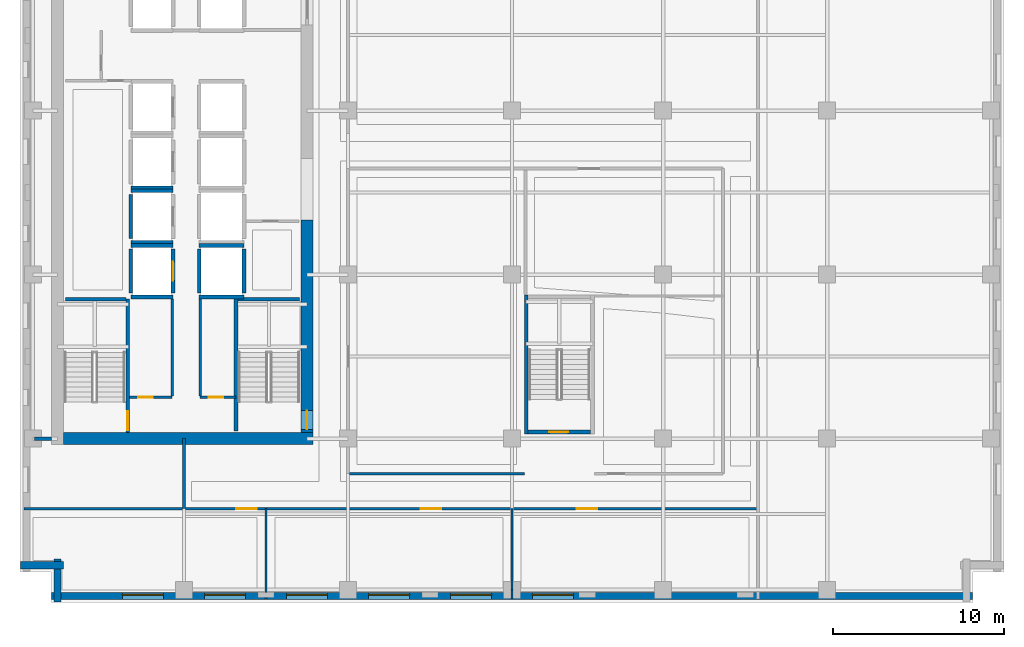
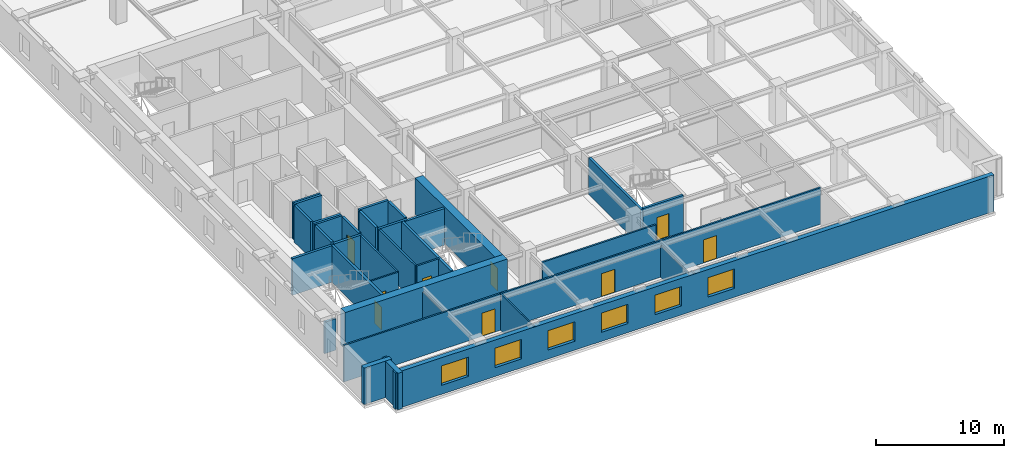
# One storey, part 3 of 12: 34 walls, 9 doors, 6 windows, 15 openings.
"""IFC4 building model written with IfcOpenShell, lengths in metres."""

from ifc_helpers import new_model, si_unit, direction, frame, frame_2d, origin, place, context, subcontext, project, spatial, rectangle, extrude, material, layer, layer_set, type_object, element, fill, save


model = new_model("IFC4")

# Units and contexts
model_context = context("Model", 3, precision=1e-05, world=origin(), true_north=direction((0.0, 1.0)))
body_context = subcontext(model_context, "Body", "Model", "MODEL_VIEW")
ifc_project = project(units=[si_unit("LENGTHUNIT", "METRE"), si_unit("AREAUNIT", "SQUARE_METRE"), si_unit("VOLUMEUNIT", "CUBIC_METRE"), si_unit("PLANEANGLEUNIT", "RADIAN"), si_unit("MASSUNIT", "GRAM", prefix="KILO")], contexts=[model_context])

# Site, building, storey
site_placement = place(None, origin())
site = spatial("IfcSite", under=ifc_project, at=site_placement, CompositionType="ELEMENT")
building_placement = place(site_placement, origin())
building = spatial("IfcBuilding", under=site, at=building_placement, Name="Norrvale University Quadrangle", CompositionType="ELEMENT")
storey_placement = place(building_placement, frame((0.0, 0.0, 147.0)))
storey = spatial("IfcBuildingStorey", under=building, at=storey_placement, Name="L37", CompositionType="ELEMENT", Elevation=147.0)

# Wall, openings, windows
ifc_material_1 = material(Name="Buff Norman Clay Brick Masonry", Category="masonry")
ifc_layer_1 = layer(ifc_material_1, 0.419921875, Name="Buff Norman Clay Brick Masonry")
ifc_layer_set_1 = layer_set([ifc_layer_1], Name="Buff Norman Clay Brick Masonry")
wall_type_1 = type_object("IfcWallType", Name="Wall Buff Brick 420", PredefinedType="SOLIDWALL", material=ifc_layer_set_1)
wall_1_placement = place(storey_placement, frame((1.840087890625, 0.389892578125, 0.0), z_axis=(0.0, 0.0, 1.0), x_axis=(1.0, 0.0, 0.0)))
wall_1 = element("IfcWall", 1, at=wall_1_placement, inside=storey, type_object=wall_type_1, Name="Exterior Brick Facade Wall L37-01.1", PredefinedType="SOLIDWALL", context=body_context, shape_type="SweptSolid", body=[
    extrude(rectangle(XDim=53.919921875, YDim=0.419921875, at=frame_2d((26.9599609375, 0.0))), origin(), (0.0, 0.0, 1.0), 3.47998046875),
])
opening_1_placement = place(wall_1_placement, frame((4.159912109375, 0.0, 0.85009765625)))
opening_1 = element("IfcOpeningElement", 2, at=opening_1_placement, cuts=wall_1, Name="Opening W02", PredefinedType="OPENING", context=body_context, shape_type="SweptSolid", body=[
    extrude(rectangle(XDim=2.39990234375, YDim=1.85009765625, at=frame_2d((1.199951171875, 0.925048828125))), frame((0.0, 0.221923828125, 0.0), z_axis=(0.0, -1.0, 0.0), x_axis=(1.0, 0.0, 0.0)), (0.0, 0.0, 1.0), 0.44384765625),
])
opening_2_placement = place(wall_1_placement, frame((8.9599609375, 0.0, 0.85009765625)))
opening_2 = element("IfcOpeningElement", 3, at=opening_2_placement, cuts=wall_1, Name="Opening W02", PredefinedType="OPENING", context=body_context, shape_type="SweptSolid", body=[
    extrude(rectangle(XDim=2.39990234375, YDim=1.85009765625, at=frame_2d((1.199951171875, 0.925048828125))), frame((0.0, 0.221923828125, 0.0), z_axis=(0.0, -1.0, 0.0), x_axis=(1.0, 0.0, 0.0)), (0.0, 0.0, 1.0), 0.44384765625),
])
opening_3_placement = place(wall_1_placement, frame((13.760009765625, 0.0, 0.85009765625)))
opening_3 = element("IfcOpeningElement", 4, at=opening_3_placement, cuts=wall_1, Name="Opening W02", PredefinedType="OPENING", context=body_context, shape_type="SweptSolid", body=[
    extrude(rectangle(XDim=2.39990234375, YDim=1.85009765625, at=frame_2d((1.199951171875, 0.925048828125))), frame((0.0, 0.221923828125, 0.0), z_axis=(0.0, -1.0, 0.0), x_axis=(1.0, 0.0, 0.0)), (0.0, 0.0, 1.0), 0.44384765625),
])
opening_4_placement = place(wall_1_placement, frame((18.56005859375, 0.0, 0.85009765625)))
opening_4 = element("IfcOpeningElement", 5, at=opening_4_placement, cuts=wall_1, Name="Opening W02", PredefinedType="OPENING", context=body_context, shape_type="SweptSolid", body=[
    extrude(rectangle(XDim=2.39990234375, YDim=1.85009765625, at=frame_2d((1.199951171875, 0.925048828125))), frame((0.0, 0.221923828125, 0.0), z_axis=(0.0, -1.0, 0.0), x_axis=(1.0, 0.0, 0.0)), (0.0, 0.0, 1.0), 0.44384765625),
])
opening_5_placement = place(wall_1_placement, frame((23.360107421875, 0.0, 0.85009765625)))
opening_5 = element("IfcOpeningElement", 6, at=opening_5_placement, cuts=wall_1, Name="Opening W02", PredefinedType="OPENING", context=body_context, shape_type="SweptSolid", body=[
    extrude(rectangle(XDim=2.39990234375, YDim=1.85009765625, at=frame_2d((1.199951171875, 0.925048828125))), frame((0.0, 0.221923828125, 0.0), z_axis=(0.0, -1.0, 0.0), x_axis=(1.0, 0.0, 0.0)), (0.0, 0.0, 1.0), 0.44384765625),
])
opening_6_placement = place(wall_1_placement, frame((28.159912109375, 0.0, 0.85009765625)))
opening_6 = element("IfcOpeningElement", 7, at=opening_6_placement, cuts=wall_1, Name="Opening W02", PredefinedType="OPENING", context=body_context, shape_type="SweptSolid", body=[
    extrude(rectangle(XDim=2.39990234375, YDim=1.85009765625, at=frame_2d((1.199951171875, 0.925048828125))), frame((0.0, 0.221923828125, 0.0), z_axis=(0.0, -1.0, 0.0), x_axis=(1.0, 0.0, 0.0)), (0.0, 0.0, 1.0), 0.44384765625),
])
ifc_material_2 = material(Name="Triple Low-E Argon Glazing", Category="glass")
window_type = type_object("IfcWindowType", Name="Window Academic 2400x2300", PartitioningType="TRIPLE_PANEL_VERTICAL", PredefinedType="WINDOW", material=ifc_material_2)
window_1_placement = place(opening_1_placement, origin())
window_1 = element("IfcWindow", 8, at=window_1_placement, inside=storey, type_object=window_type, Name="Window Academic 2400x2300 WIN-L37-E01-1-01", OverallHeight=1.85009765625, OverallWidth=2.39990234375, PartitioningType="TRIPLE_PANEL_VERTICAL", PredefinedType="WINDOW", context=body_context, shape_type="SweptSolid", body=[
    extrude(rectangle(XDim=2.39990234375, YDim=1.85009765625, at=frame_2d((1.199951171875, 0.925048828125))), frame((0.0, 0.110107421875, 0.0), z_axis=(0.0, -1.0, 0.0), x_axis=(1.0, 0.0, 0.0)), (0.0, 0.0, 1.0), 0.06005859375),
])
fill(opening_1, window_1)
window_2_placement = place(opening_2_placement, origin())
window_2 = element("IfcWindow", 9, at=window_2_placement, inside=storey, type_object=window_type, Name="Window Academic 2400x2300 WIN-L37-E01-1-02", OverallHeight=1.85009765625, OverallWidth=2.39990234375, PartitioningType="TRIPLE_PANEL_VERTICAL", PredefinedType="WINDOW", context=body_context, shape_type="SweptSolid", body=[
    extrude(rectangle(XDim=2.39990234375, YDim=1.85009765625, at=frame_2d((1.199951171875, 0.925048828125))), frame((0.0, 0.110107421875, 0.0), z_axis=(0.0, -1.0, 0.0), x_axis=(1.0, 0.0, 0.0)), (0.0, 0.0, 1.0), 0.06005859375),
])
fill(opening_2, window_2)
window_3_placement = place(opening_3_placement, origin())
window_3 = element("IfcWindow", 10, at=window_3_placement, inside=storey, type_object=window_type, Name="Window Academic 2400x2300 WIN-L37-E01-1-03", OverallHeight=1.85009765625, OverallWidth=2.39990234375, PartitioningType="TRIPLE_PANEL_VERTICAL", PredefinedType="WINDOW", context=body_context, shape_type="SweptSolid", body=[
    extrude(rectangle(XDim=2.39990234375, YDim=1.85009765625, at=frame_2d((1.199951171875, 0.925048828125))), frame((0.0, 0.110107421875, 0.0), z_axis=(0.0, -1.0, 0.0), x_axis=(1.0, 0.0, 0.0)), (0.0, 0.0, 1.0), 0.06005859375),
])
fill(opening_3, window_3)
window_4_placement = place(opening_4_placement, origin())
window_4 = element("IfcWindow", 11, at=window_4_placement, inside=storey, type_object=window_type, Name="Window Academic 2400x2300 WIN-L37-E01-1-04", OverallHeight=1.85009765625, OverallWidth=2.39990234375, PartitioningType="TRIPLE_PANEL_VERTICAL", PredefinedType="WINDOW", context=body_context, shape_type="SweptSolid", body=[
    extrude(rectangle(XDim=2.39990234375, YDim=1.85009765625, at=frame_2d((1.199951171875, 0.925048828125))), frame((0.0, 0.110107421875, 0.0), z_axis=(0.0, -1.0, 0.0), x_axis=(1.0, 0.0, 0.0)), (0.0, 0.0, 1.0), 0.06005859375),
])
fill(opening_4, window_4)
window_5_placement = place(opening_5_placement, origin())
window_5 = element("IfcWindow", 12, at=window_5_placement, inside=storey, type_object=window_type, Name="Window Academic 2400x2300 WIN-L37-E01-1-05", OverallHeight=1.85009765625, OverallWidth=2.39990234375, PartitioningType="TRIPLE_PANEL_VERTICAL", PredefinedType="WINDOW", context=body_context, shape_type="SweptSolid", body=[
    extrude(rectangle(XDim=2.39990234375, YDim=1.85009765625, at=frame_2d((1.199951171875, 0.925048828125))), frame((0.0, 0.110107421875, 0.0), z_axis=(0.0, -1.0, 0.0), x_axis=(1.0, 0.0, 0.0)), (0.0, 0.0, 1.0), 0.06005859375),
])
fill(opening_5, window_5)
window_6_placement = place(opening_6_placement, origin())
window_6 = element("IfcWindow", 13, at=window_6_placement, inside=storey, type_object=window_type, Name="Window Academic 2400x2300 WIN-L37-E01-1-06", OverallHeight=1.85009765625, OverallWidth=2.39990234375, PartitioningType="TRIPLE_PANEL_VERTICAL", PredefinedType="WINDOW", context=body_context, shape_type="SweptSolid", body=[
    extrude(rectangle(XDim=2.39990234375, YDim=1.85009765625, at=frame_2d((1.199951171875, 0.925048828125))), frame((0.0, 0.110107421875, 0.0), z_axis=(0.0, -1.0, 0.0), x_axis=(1.0, 0.0, 0.0)), (0.0, 0.0, 1.0), 0.06005859375),
])
fill(opening_6, window_6)

# Walls
for number, where, z_axis, x_axis, name in (
    (14, (0.0400390625, 2.18994140625, 0.0), (0.0, 0.0, 1.0), (1.0, 0.0, 0.0), "Exterior Brick Facade Wall L37-15.1"),
    (15, (2.18994140625, 2.5400390625, 0.0), (0.0, 0.0, 1.0), (0.0, -1.0, 0.0), "Exterior Brick Facade Wall L37-16.1"),
):
    element("IfcWall", number, at=place(storey_placement, frame(where, z_axis=z_axis, x_axis=x_axis)), inside=storey, type_object=wall_type_1, Name=name, PredefinedType="SOLIDWALL", context=body_context, shape_type="SweptSolid", body=[
        extrude(rectangle(XDim=2.5, YDim=0.419921875, at=frame_2d((1.25, 0.0))), origin(), (0.0, 0.0, 1.0), 3.47998046875),
    ])
ifc_material_3 = material(Name="Concrete C60/75", Category="concrete")
ifc_layer_2 = layer(ifc_material_3, 0.699951171875, Name="Concrete C60/75")
ifc_layer_set_2 = layer_set([ifc_layer_2], Name="Concrete C60/75")
wall_type_2 = type_object("IfcWallType", Name="Wall Core 700", PredefinedType="SHEAR", material=ifc_layer_set_2)
wall_2_placement = place(storey_placement, frame((2.550048828125, 9.60009765625, 0.0), z_axis=(0.0, 0.0, 1.0), x_axis=(1.0, 0.0, 0.0)))
element("IfcWall", 16, at=wall_2_placement, inside=storey, type_object=wall_type_2, Name="Tower Core Shear Wall L37-S", PredefinedType="SHEAR", context=body_context, shape_type="SweptSolid", body=[
    extrude(rectangle(XDim=14.599853515625, YDim=0.699951171875, at=frame_2d((7.2998046875, 0.0))), origin(), (0.0, 0.0, 1.0), 3.47998046875),
])

# Wall, opening, door
wall_3_placement = place(storey_placement, frame((16.800048828125, 9.949951171875, 0.0), z_axis=(0.0, 0.0, 1.0), x_axis=(0.0, 1.0, 0.0)))
wall_3 = element("IfcWall", 17, at=wall_3_placement, inside=storey, type_object=wall_type_2, Name="Tower Core Shear Wall L37-E1", PredefinedType="SHEAR", context=body_context, shape_type="SweptSolid", body=[
    extrude(rectangle(XDim=12.449951171875, YDim=0.699951171875, at=frame_2d((6.22509765625, 0.0))), origin(), (0.0, 0.0, 1.0), 3.47998046875),
])
opening_7_placement = place(wall_3_placement, frame((0.18994140625, 0.0, 0.0)))
opening_7 = element("IfcOpeningElement", 18, at=opening_7_placement, cuts=wall_3, Name="Opening D02", PredefinedType="OPENING", context=body_context, shape_type="SweptSolid", body=[
    extrude(rectangle(XDim=1.10009765625, YDim=2.199951171875, at=frame_2d((0.550048828125, 1.10009765625))), frame((0.0, 0.362060546875, 0.0), z_axis=(0.0, -1.0, 0.0), x_axis=(1.0, 0.0, 0.0)), (0.0, 0.0, 1.0), 0.723876953125),
])
ifc_material_4 = material(Name="Hollow Steel 350W Fire Door", Category="steel")
door_type_1 = type_object("IfcDoorType", Name="Door Stair Exit 1100x2200", OperationType="NOTDEFINED", PredefinedType="DOOR", material=ifc_material_4)
door_1_placement = place(opening_7_placement, origin())
door_1 = element("IfcDoor", 19, at=door_1_placement, inside=storey, type_object=door_type_1, Name="Door Stair Exit 1100x2200 DR-L37-ST03", OperationType="SINGLE_SWING_LEFT", OverallHeight=2.199951171875, OverallWidth=1.10009765625, PredefinedType="DOOR", context=body_context, shape_type="SweptSolid", body=[
    extrude(rectangle(XDim=1.10009765625, YDim=2.199951171875, at=frame_2d((0.550048828125, 1.10009765625))), frame((0.0, 0.02490234375, 0.0), z_axis=(0.0, -1.0, 0.0), x_axis=(1.0, 0.0, 0.0)), (0.0, 0.0, 1.0), 0.050048828125),
])
fill(opening_7, door_1)

# Walls
ifc_material_5 = material(Name="Standard Academic Gypsum Partition")
ifc_layer_3 = layer(ifc_material_5, 0.125, Name="Standard Academic Gypsum Partition")
ifc_layer_set_3 = layer_set([ifc_layer_3], Name="Standard Academic Gypsum Partition")
wall_type_3 = type_object("IfcWallType", Name="Wall Gypsum Academic 125", PredefinedType="PARTITIONING", material=ifc_layer_set_3)
wall_4_placement = place(storey_placement, frame((14.39990234375, 0.219970703125, 0.0), z_axis=(0.0, 0.0, 1.0), x_axis=(0.0, 1.0, 0.0)))
element("IfcWall", 20, at=wall_4_placement, inside=storey, type_object=wall_type_3, Name="Interior Partition WL-L37-SP01", PredefinedType="PARTITIONING", context=body_context, shape_type="SweptSolid", body=[
    extrude(rectangle(XDim=5.280029296875, YDim=0.125, at=frame_2d((2.64013671875, 0.0))), origin(), (0.0, 0.0, 1.0), 3.47998046875),
])
wall_5_placement = place(storey_placement, frame((28.800048828125, 0.219970703125, 0.0), z_axis=(0.0, 0.0, 1.0), x_axis=(0.0, 1.0, 0.0)))
element("IfcWall", 21, at=wall_5_placement, inside=storey, type_object=wall_type_3, Name="Interior Partition WL-L37-SP02", PredefinedType="PARTITIONING", context=body_context, shape_type="SweptSolid", body=[
    extrude(rectangle(XDim=0.530029296875, YDim=0.125, at=frame_2d((0.26513671875, 0.0))), origin(), (0.0, 0.0, 1.0), 3.47998046875),
])
wall_6_placement = place(storey_placement, frame((28.800048828125, 0.75, 0.0), z_axis=(0.0, 0.0, 1.0), x_axis=(0.0, 1.0, 0.0)))
element("IfcWall", 22, at=wall_6_placement, inside=storey, type_object=wall_type_3, Name="Interior Partition WL-L37-SP02-B2", PredefinedType="PARTITIONING", context=body_context, shape_type="SweptSolid", body=[
    extrude(rectangle(XDim=4.75, YDim=0.125, at=frame_2d((2.375, 0.0))), origin(), (0.0, 0.0, 1.0), 3.010986328125),
])

# Wall, opening, door
ifc_material_6 = material(Name="Fire-Rated Gypsum Stud Partition")
ifc_layer_4 = layer(ifc_material_6, 0.14990234375, Name="Fire-Rated Gypsum Stud Partition")
ifc_layer_set_4 = layer_set([ifc_layer_4], Name="Fire-Rated Gypsum Stud Partition")
wall_type_4 = type_object("IfcWallType", Name="Wall Gypsum Corridor 150", PredefinedType="PARTITIONING", material=ifc_layer_set_4)
wall_7_placement = place(storey_placement, frame((6.419921875, 12.02001953125, 0.0), z_axis=(0.0, 0.0, 1.0), x_axis=(1.0, 0.0, 0.0)))
wall_7 = element("IfcWall", 23, at=wall_7_placement, inside=storey, type_object=wall_type_4, Name="Interior Partition WL-L37-SC-NL", PredefinedType="PARTITIONING", context=body_context, shape_type="SweptSolid", body=[
    extrude(rectangle(XDim=2.47998046875, YDim=0.14990234375, at=frame_2d((1.239990234375, 0.0))), origin(), (0.0, 0.0, 1.0), 3.47998046875),
])
opening_8_placement = place(wall_7_placement, frame((0.5, 0.0, 0.0)))
opening_8 = element("IfcOpeningElement", 24, at=opening_8_placement, cuts=wall_7, Name="Opening D10", PredefinedType="OPENING", context=body_context, shape_type="SweptSolid", body=[
    extrude(rectangle(XDim=0.85009765625, YDim=2.10009765625, at=frame_2d((0.425048828125, 1.050048828125))), frame((0.0, 0.0869140625, 0.0), z_axis=(0.0, -1.0, 0.0), x_axis=(1.0, 0.0, 0.0)), (0.0, 0.0, 1.0), 0.173828125),
])
ifc_material_7 = material(Name="Hollow Steel 350W Riser Fire Door", Category="steel")
door_type_2 = type_object("IfcDoorType", Name="Door Riser 850x2100", OperationType="NOTDEFINED", PredefinedType="DOOR", material=ifc_material_7)
door_2_placement = place(opening_8_placement, origin())
door_2 = element("IfcDoor", 25, at=door_2_placement, inside=storey, type_object=door_type_2, Name="Door Riser 850x2100 DR-L37-ELEC", OperationType="SINGLE_SWING_LEFT", OverallHeight=2.10009765625, OverallWidth=0.85009765625, PredefinedType="DOOR", context=body_context, shape_type="SweptSolid", body=[
    extrude(rectangle(XDim=0.85009765625, YDim=2.10009765625, at=frame_2d((0.425048828125, 1.050048828125))), frame((0.0, 0.02490234375, 0.0), z_axis=(0.0, -1.0, 0.0), x_axis=(1.0, 0.0, 0.0)), (0.0, 0.0, 1.0), 0.050048828125),
])
fill(opening_8, door_2)

wall_8_placement = place(storey_placement, frame((10.550048828125, 12.02001953125, 0.0), z_axis=(0.0, 0.0, 1.0), x_axis=(1.0, 0.0, 0.0)))
wall_8 = element("IfcWall", 26, at=wall_8_placement, inside=storey, type_object=wall_type_4, Name="Interior Partition WL-L37-SC-NR", PredefinedType="PARTITIONING", context=body_context, shape_type="SweptSolid", body=[
    extrude(rectangle(XDim=2.079833984375, YDim=0.14990234375, at=frame_2d((1.0400390625, 0.0))), origin(), (0.0, 0.0, 1.0), 3.47998046875),
])
opening_9_placement = place(wall_8_placement, frame((0.5, 0.0, 0.0)))
opening_9 = element("IfcOpeningElement", 27, at=opening_9_placement, cuts=wall_8, Name="Opening D10", PredefinedType="OPENING", context=body_context, shape_type="SweptSolid", body=[
    extrude(rectangle(XDim=0.85009765625, YDim=2.10009765625, at=frame_2d((0.425048828125, 1.050048828125))), frame((0.0, 0.0869140625, 0.0), z_axis=(0.0, -1.0, 0.0), x_axis=(1.0, 0.0, 0.0)), (0.0, 0.0, 1.0), 0.173828125),
])
door_3_placement = place(opening_9_placement, origin())
door_3 = element("IfcDoor", 28, at=door_3_placement, inside=storey, type_object=door_type_2, Name="Door Riser 850x2100 DR-L37-IDF", OperationType="SINGLE_SWING_RIGHT", OverallHeight=2.10009765625, OverallWidth=0.85009765625, PredefinedType="DOOR", context=body_context, shape_type="SweptSolid", body=[
    extrude(rectangle(XDim=0.85009765625, YDim=2.10009765625, at=frame_2d((0.425048828125, 1.050048828125))), frame((0.0, 0.02490234375, 0.0), z_axis=(0.0, -1.0, 0.0), x_axis=(1.0, 0.0, 0.0)), (0.0, 0.0, 1.0), 0.050048828125),
])
fill(opening_9, door_3)

# Walls
for number, where, z_axis, x_axis, name in (
    (29, (8.89990234375, 12.094970703125, 0.0), (0.0, 0.0, 1.0), (0.0, 1.0, 0.0), "Interior Partition WL-L37-SC-WL"),
    (30, (10.550048828125, 12.094970703125, 0.0), (0.0, 0.0, 1.0), (0.0, 1.0, 0.0), "Interior Partition WL-L37-SC-WR"),
):
    element("IfcWall", number, at=place(storey_placement, frame(where, z_axis=z_axis, x_axis=x_axis)), inside=storey, type_object=wall_type_4, Name=name, PredefinedType="PARTITIONING", context=body_context, shape_type="SweptSolid", body=[
        extrude(rectangle(XDim=5.679931640625, YDim=0.14990234375, at=frame_2d((2.83984375, 0.0))), origin(), (0.0, 0.0, 1.0), 3.47998046875),
    ])
wall_9_placement = place(storey_placement, frame((9.60009765625, 5.5, 0.0), z_axis=(0.0, 0.0, 1.0), x_axis=(0.0, 1.0, 0.0)))
element("IfcWall", 31, at=wall_9_placement, inside=storey, type_object=wall_type_4, Name="Interior Partition WL-L37-CSW-END", PredefinedType="PARTITIONING", context=body_context, shape_type="SweptSolid", body=[
    extrude(rectangle(XDim=4.10009765625, YDim=0.14990234375, at=frame_2d((2.050048828125, 0.0))), origin(), (0.0, 0.0, 1.0), 3.010986328125),
])

# Wall, openings, doors
wall_10_placement = place(storey_placement, frame((0.219970703125, 5.5, 0.0), z_axis=(0.0, 0.0, 1.0), x_axis=(1.0, 0.0, 0.0)))
wall_10 = element("IfcWall", 32, at=wall_10_placement, inside=storey, type_object=wall_type_4, Name="Interior Partition WL-L37-SCW", PredefinedType="PARTITIONING", context=body_context, shape_type="SweptSolid", body=[
    extrude(rectangle(XDim=42.97998046875, YDim=0.14990234375, at=frame_2d((21.489990234375, 0.0))), origin(), (0.0, 0.0, 1.0), 3.47998046875),
])
opening_10_placement = place(wall_10_placement, frame((12.429931640625, 0.0, 0.0)))
opening_10 = element("IfcOpeningElement", 33, at=opening_10_placement, cuts=wall_10, Name="Opening D05", PredefinedType="OPENING", context=body_context, shape_type="SweptSolid", body=[
    extrude(rectangle(XDim=1.199951171875, YDim=2.199951171875, at=frame_2d((0.60009765625, 1.10009765625))), frame((0.0, 0.0869140625, 0.0), z_axis=(0.0, -1.0, 0.0), x_axis=(1.0, 0.0, 0.0)), (0.0, 0.0, 1.0), 0.173828125),
])
opening_11_placement = place(wall_10_placement, frame((23.22998046875, 0.0, 0.0)))
opening_11 = element("IfcOpeningElement", 34, at=opening_11_placement, cuts=wall_10, Name="Opening D05", PredefinedType="OPENING", context=body_context, shape_type="SweptSolid", body=[
    extrude(rectangle(XDim=1.199951171875, YDim=2.199951171875, at=frame_2d((0.60009765625, 1.10009765625))), frame((0.0, 0.0869140625, 0.0), z_axis=(0.0, -1.0, 0.0), x_axis=(1.0, 0.0, 0.0)), (0.0, 0.0, 1.0), 0.173828125),
])
opening_12_placement = place(wall_10_placement, frame((32.3798828125, 0.0, 0.0)))
opening_12 = element("IfcOpeningElement", 35, at=opening_12_placement, cuts=wall_10, Name="Opening D05", PredefinedType="OPENING", context=body_context, shape_type="SweptSolid", body=[
    extrude(rectangle(XDim=1.199951171875, YDim=2.199951171875, at=frame_2d((0.60009765625, 1.10009765625))), frame((0.0, 0.0869140625, 0.0), z_axis=(0.0, -1.0, 0.0), x_axis=(1.0, 0.0, 0.0)), (0.0, 0.0, 1.0), 0.173828125),
])
ifc_material_8 = material(Name="Acoustic Oak Classroom Door", Category="wood")
door_type_3 = type_object("IfcDoorType", Name="Door Classroom 1200x2200", OperationType="NOTDEFINED", PredefinedType="DOOR", material=ifc_material_8)
door_4_placement = place(opening_10_placement, origin())
door_4 = element("IfcDoor", 36, at=door_4_placement, inside=storey, type_object=door_type_3, Name="Door Classroom 1200x2200 DR-L37-S01", OperationType="SINGLE_SWING_LEFT", OverallHeight=2.199951171875, OverallWidth=1.199951171875, PredefinedType="DOOR", context=body_context, shape_type="SweptSolid", body=[
    extrude(rectangle(XDim=1.199951171875, YDim=2.199951171875, at=frame_2d((0.60009765625, 1.10009765625))), frame((0.0, 0.02490234375, 0.0), z_axis=(0.0, -1.0, 0.0), x_axis=(1.0, 0.0, 0.0)), (0.0, 0.0, 1.0), 0.050048828125),
])
fill(opening_10, door_4)
door_5_placement = place(opening_11_placement, origin())
door_5 = element("IfcDoor", 37, at=door_5_placement, inside=storey, type_object=door_type_3, Name="Door Classroom 1200x2200 DR-L37-S02", OperationType="SINGLE_SWING_RIGHT", OverallHeight=2.199951171875, OverallWidth=1.199951171875, PredefinedType="DOOR", context=body_context, shape_type="SweptSolid", body=[
    extrude(rectangle(XDim=1.199951171875, YDim=2.199951171875, at=frame_2d((0.60009765625, 1.10009765625))), frame((0.0, 0.02490234375, 0.0), z_axis=(0.0, -1.0, 0.0), x_axis=(1.0, 0.0, 0.0)), (0.0, 0.0, 1.0), 0.050048828125),
])
fill(opening_11, door_5)
door_6_placement = place(opening_12_placement, origin())
door_6 = element("IfcDoor", 38, at=door_6_placement, inside=storey, type_object=door_type_3, Name="Door Classroom 1200x2200 DR-L37-S03", OperationType="SINGLE_SWING_LEFT", OverallHeight=2.199951171875, OverallWidth=1.199951171875, PredefinedType="DOOR", context=body_context, shape_type="SweptSolid", body=[
    extrude(rectangle(XDim=1.199951171875, YDim=2.199951171875, at=frame_2d((0.60009765625, 1.10009765625))), frame((0.0, 0.02490234375, 0.0), z_axis=(0.0, -1.0, 0.0), x_axis=(1.0, 0.0, 0.0)), (0.0, 0.0, 1.0), 0.050048828125),
])
fill(opening_12, door_6)

# Walls
wall_11_placement = place(storey_placement, frame((19.280029296875, 7.550048828125, 0.0), z_axis=(0.0, 0.0, 1.0), x_axis=(1.0, 0.0, 0.0)))
element("IfcWall", 39, at=wall_11_placement, inside=storey, type_object=wall_type_4, Name="Interior Partition WL-L37-ISLS1", PredefinedType="PARTITIONING", context=body_context, shape_type="SweptSolid", body=[
    extrude(rectangle(XDim=10.244873046875, YDim=0.14990234375, at=frame_2d((5.12255859375, 0.0))), origin(), (0.0, 0.0, 1.0), 3.47998046875),
])
ifc_material_9 = material(Name="Concrete Blockwork 20 MPa Rated Wall", Category="masonry")
ifc_layer_5 = layer(ifc_material_9, 0.199951171875, Name="Concrete Blockwork 20 MPa Rated Wall")
ifc_layer_set_5 = layer_set([ifc_layer_5], Name="Concrete Blockwork 20 MPa Rated Wall")
wall_type_5 = type_object("IfcWallType", Name="Wall Lobby 200", PredefinedType="SOLIDWALL", material=ifc_layer_set_5)
wall_12_placement = place(storey_placement, frame((0.85009765625, 9.60009765625, 0.0), z_axis=(0.0, 0.0, 1.0), x_axis=(1.0, 0.0, 0.0)))
element("IfcWall", 40, at=wall_12_placement, inside=storey, type_object=wall_type_5, Name="Interior Partition WL-L37-CWRET-S", PredefinedType="SOLIDWALL", context=body_context, shape_type="SweptSolid", body=[
    extrude(rectangle(XDim=0.994873046875, YDim=0.199951171875, at=frame_2d((0.49755859375, 0.0))), origin(), (0.0, 0.0, 1.0), 3.010986328125),
])

# Wall, opening, door
ifc_material_10 = material(Name="Concrete Blockwork 20 MPa Fire Shaft", Category="masonry")
ifc_layer_6 = layer(ifc_material_10, 0.219970703125, Name="Concrete Blockwork 20 MPa Fire Shaft")
ifc_layer_set_6 = layer_set([ifc_layer_6], Name="Concrete Blockwork 20 MPa Fire Shaft")
wall_type_6 = type_object("IfcWallType", Name="Wall Shaft 220", PredefinedType="SOLIDWALL", material=ifc_layer_set_6)
wall_13_placement = place(storey_placement, frame((6.31005859375, 9.949951171875, 0.0), z_axis=(0.0, 0.0, 1.0), x_axis=(0.0, 1.0, 0.0)))
wall_13 = element("IfcWall", 41, at=wall_13_placement, inside=storey, type_object=wall_type_6, Name="Stair ST-01 East Shaft Wall L37", PredefinedType="SOLIDWALL", context=body_context, shape_type="SweptSolid", body=[
    extrude(rectangle(XDim=7.81005859375, YDim=0.219970703125, at=frame_2d((3.905029296875, 0.0))), origin(), (0.0, 0.0, 1.0), 3.47998046875),
])
opening_13_placement = place(wall_13_placement, frame((0.139892578125, 0.0, 0.0)))
opening_13 = element("IfcOpeningElement", 42, at=opening_13_placement, cuts=wall_13, Name="Opening D02", PredefinedType="OPENING", context=body_context, shape_type="SweptSolid", body=[
    extrude(rectangle(XDim=1.10009765625, YDim=2.199951171875, at=frame_2d((0.550048828125, 1.10009765625))), frame((0.0, 0.1220703125, 0.0), z_axis=(0.0, -1.0, 0.0), x_axis=(1.0, 0.0, 0.0)), (0.0, 0.0, 1.0), 0.243896484375),
])
door_7_placement = place(opening_13_placement, origin())
door_7 = element("IfcDoor", 43, at=door_7_placement, inside=storey, type_object=door_type_1, Name="Door Stair Exit 1100x2200 DR-L37-ST01", OperationType="SINGLE_SWING_LEFT", OverallHeight=2.199951171875, OverallWidth=1.10009765625, PredefinedType="DOOR", context=body_context, shape_type="SweptSolid", body=[
    extrude(rectangle(XDim=1.10009765625, YDim=2.199951171875, at=frame_2d((0.550048828125, 1.10009765625))), frame((0.0, 0.02490234375, 0.0), z_axis=(0.0, -1.0, 0.0), x_axis=(1.0, 0.0, 0.0)), (0.0, 0.0, 1.0), 0.050048828125),
])
fill(opening_13, door_7)

# Walls
wall_14_placement = place(storey_placement, frame((2.64990234375, 17.760009765625, 0.0), z_axis=(0.0, 0.0, 1.0), x_axis=(1.0, 0.0, 0.0)))
element("IfcWall", 44, at=wall_14_placement, inside=storey, type_object=wall_type_6, Name="Stair ST-01 North Shaft Wall L37", PredefinedType="SOLIDWALL", context=body_context, shape_type="SweptSolid", body=[
    extrude(rectangle(XDim=3.550048828125, YDim=0.219970703125, at=frame_2d((1.77490234375, 0.0))), origin(), (0.0, 0.0, 1.0), 3.47998046875),
])
wall_15_placement = place(storey_placement, frame((12.639892578125, 10.050048828125, 0.0), z_axis=(0.0, 0.0, 1.0), x_axis=(0.0, 1.0, 0.0)))
element("IfcWall", 45, at=wall_15_placement, inside=storey, type_object=wall_type_6, Name="Stair ST-03 West Shaft Wall L37", PredefinedType="SOLIDWALL", context=body_context, shape_type="SweptSolid", body=[
    extrude(rectangle(XDim=7.7099609375, YDim=0.219970703125, at=frame_2d((3.85498046875, 0.0))), origin(), (0.0, 0.0, 1.0), 3.47998046875),
])
wall_16_placement = place(storey_placement, frame((12.75, 17.760009765625, 0.0), z_axis=(0.0, 0.0, 1.0), x_axis=(1.0, 0.0, 0.0)))
element("IfcWall", 46, at=wall_16_placement, inside=storey, type_object=wall_type_6, Name="Stair ST-03 North Shaft Wall L37", PredefinedType="SOLIDWALL", context=body_context, shape_type="SweptSolid", body=[
    extrude(rectangle(XDim=3.60009765625, YDim=0.219970703125, at=frame_2d((1.800048828125, 0.0))), origin(), (0.0, 0.0, 1.0), 3.47998046875),
])

# Wall, opening, door
wall_17_placement = place(storey_placement, frame((29.75, 9.989990234375, 0.0), z_axis=(0.0, 0.0, 1.0), x_axis=(1.0, 0.0, 0.0)))
wall_17 = element("IfcWall", 47, at=wall_17_placement, inside=storey, type_object=wall_type_6, Name="Stair ST-04 South Shaft Wall L37", PredefinedType="SOLIDWALL", context=body_context, shape_type="SweptSolid", body=[
    extrude(rectangle(XDim=3.64990234375, YDim=0.219970703125, at=frame_2d((1.824951171875, 0.0))), origin(), (0.0, 0.0, 1.0), 3.47998046875),
])
opening_14_placement = place(wall_17_placement, frame((1.239990234375, 0.0, 0.0)))
opening_14 = element("IfcOpeningElement", 48, at=opening_14_placement, cuts=wall_17, Name="Opening D02", PredefinedType="OPENING", context=body_context, shape_type="SweptSolid", body=[
    extrude(rectangle(XDim=1.10009765625, YDim=2.199951171875, at=frame_2d((0.550048828125, 1.10009765625))), frame((0.0, 0.1220703125, 0.0), z_axis=(0.0, -1.0, 0.0), x_axis=(1.0, 0.0, 0.0)), (0.0, 0.0, 1.0), 0.243896484375),
])
door_8_placement = place(opening_14_placement, origin())
door_8 = element("IfcDoor", 49, at=door_8_placement, inside=storey, type_object=door_type_1, Name="Door Stair Exit 1100x2200 DR-L37-ST04", OperationType="SINGLE_SWING_LEFT", OverallHeight=2.199951171875, OverallWidth=1.10009765625, PredefinedType="DOOR", context=body_context, shape_type="SweptSolid", body=[
    extrude(rectangle(XDim=1.10009765625, YDim=2.199951171875, at=frame_2d((0.550048828125, 1.10009765625))), frame((0.0, 0.02490234375, 0.0), z_axis=(0.0, -1.0, 0.0), x_axis=(1.0, 0.0, 0.0)), (0.0, 0.0, 1.0), 0.050048828125),
])
fill(opening_14, door_8)

# Walls
wall_18_placement = place(storey_placement, frame((29.639892578125, 9.8798828125, 0.0), z_axis=(0.0, 0.0, 1.0), x_axis=(0.0, 1.0, 0.0)))
element("IfcWall", 50, at=wall_18_placement, inside=storey, type_object=wall_type_6, Name="Stair ST-04 West Shaft Wall L37", PredefinedType="SOLIDWALL", context=body_context, shape_type="SweptSolid", body=[
    extrude(rectangle(XDim=8.14013671875, YDim=0.219970703125, at=frame_2d((4.070068359375, 0.0))), origin(), (0.0, 0.0, 1.0), 3.47998046875),
])
wall_19_placement = place(storey_placement, frame((6.489990234375, 18.110107421875, 0.0), z_axis=(0.0, 0.0, 1.0), x_axis=(0.0, 1.0, 0.0)))
element("IfcWall", 51, at=wall_19_placement, inside=storey, type_object=wall_type_6, Name="Hoistway PL-01 West Wall L37", PredefinedType="SOLIDWALL", context=body_context, shape_type="SweptSolid", body=[
    extrude(rectangle(XDim=2.579833984375, YDim=0.219970703125, at=frame_2d((1.2900390625, 0.0))), origin(), (0.0, 0.0, 1.0), 3.47998046875),
])

# Wall, opening, door
wall_20_placement = place(storey_placement, frame((8.9599609375, 18.110107421875, 0.0), z_axis=(0.0, 0.0, 1.0), x_axis=(0.0, 1.0, 0.0)))
wall_20 = element("IfcWall", 52, at=wall_20_placement, inside=storey, type_object=wall_type_6, Name="Hoistway PL-01 East Wall L37", PredefinedType="SOLIDWALL", context=body_context, shape_type="SweptSolid", body=[
    extrude(rectangle(XDim=2.579833984375, YDim=0.219970703125, at=frame_2d((1.2900390625, 0.0))), origin(), (0.0, 0.0, 1.0), 3.47998046875),
])
opening_15_placement = place(wall_20_placement, frame((0.739990234375, 0.0, 0.0)))
opening_15 = element("IfcOpeningElement", 53, at=opening_15_placement, cuts=wall_20, Name="Opening LD1", PredefinedType="OPENING", context=body_context, shape_type="SweptSolid", body=[
    extrude(rectangle(XDim=1.10009765625, YDim=2.199951171875, at=frame_2d((0.550048828125, 1.10009765625))), frame((0.0, 0.1220703125, 0.0), z_axis=(0.0, -1.0, 0.0), x_axis=(1.0, 0.0, 0.0)), (0.0, 0.0, 1.0), 0.243896484375),
])
ifc_material_11 = material(Name="Stainless Steel 316L Lift Landing Door", Category="steel")
door_type_4 = type_object("IfcDoorType", Name="Door Lift Landing 1100x2200", OperationType="DOUBLE_DOOR_SLIDING", PredefinedType="DOOR", material=ifc_material_11)
door_9_placement = place(opening_15_placement, origin())
door_9 = element("IfcDoor", 54, at=door_9_placement, inside=storey, type_object=door_type_4, Name="Elevator Landing Door DR-L37-PL-01", OperationType="DOUBLE_DOOR_SLIDING", OverallHeight=2.199951171875, OverallWidth=1.10009765625, PredefinedType="DOOR", context=body_context, shape_type="SweptSolid", body=[
    extrude(rectangle(XDim=1.10009765625, YDim=2.199951171875, at=frame_2d((0.550048828125, 1.10009765625))), frame((0.0, 0.02490234375, 0.0), z_axis=(0.0, -1.0, 0.0), x_axis=(1.0, 0.0, 0.0)), (0.0, 0.0, 1.0), 0.050048828125),
])
fill(opening_15, door_9)

# Walls
for number, where, z_axis, x_axis, name in (
    (55, (6.489990234375, 17.889892578125, 0.0), (0.0, 0.0, 1.0), (1.0, 0.0, 0.0), "Hoistway PL-01 South Wall L37"),
    (56, (6.489990234375, 20.909912109375, 0.0), (0.0, 0.0, 1.0), (1.0, 0.0, 0.0), "Hoistway PL-01 North Wall L37"),
):
    element("IfcWall", number, at=place(storey_placement, frame(where, z_axis=z_axis, x_axis=x_axis)), inside=storey, type_object=wall_type_6, Name=name, PredefinedType="SOLIDWALL", context=body_context, shape_type="SweptSolid", body=[
        extrude(rectangle(XDim=2.469970703125, YDim=0.219970703125, at=frame_2d((1.23486328125, 0.0))), origin(), (0.0, 0.0, 1.0), 3.47998046875),
    ])
wall_21_placement = place(storey_placement, frame((6.489990234375, 21.31005859375, 0.0), z_axis=(0.0, 0.0, 1.0), x_axis=(0.0, 1.0, 0.0)))
element("IfcWall", 57, at=wall_21_placement, inside=storey, type_object=wall_type_6, Name="Hoistway PL-02 West Wall L37", PredefinedType="SOLIDWALL", context=body_context, shape_type="SweptSolid", body=[
    extrude(rectangle(XDim=2.579833984375, YDim=0.219970703125, at=frame_2d((1.2900390625, 0.0))), origin(), (0.0, 0.0, 1.0), 3.47998046875),
])
for number, where, z_axis, x_axis, name in (
    (58, (6.489990234375, 21.090087890625, 0.0), (0.0, 0.0, 1.0), (1.0, 0.0, 0.0), "Hoistway PL-02 South Wall L37"),
    (59, (6.489990234375, 24.110107421875, 0.0), (0.0, 0.0, 1.0), (1.0, 0.0, 0.0), "Hoistway PL-02 North Wall L37"),
    (60, (6.489990234375, 24.2900390625, 0.0), (0.0, 0.0, 1.0), (1.0, 0.0, 0.0), "Hoistway PL-03 South Wall L37"),
):
    element("IfcWall", number, at=place(storey_placement, frame(where, z_axis=z_axis, x_axis=x_axis)), inside=storey, type_object=wall_type_6, Name=name, PredefinedType="SOLIDWALL", context=body_context, shape_type="SweptSolid", body=[
        extrude(rectangle(XDim=2.469970703125, YDim=0.219970703125, at=frame_2d((1.23486328125, 0.0))), origin(), (0.0, 0.0, 1.0), 3.47998046875),
    ])
for number, where, z_axis, x_axis, name in (
    (61, (10.489990234375, 18.110107421875, 0.0), (0.0, 0.0, 1.0), (0.0, 1.0, 0.0), "Hoistway PL-05 West Wall L37"),
    (62, (13.110107421875, 18.110107421875, 0.0), (0.0, 0.0, 1.0), (0.0, 1.0, 0.0), "Hoistway PL-05 East Wall L37"),
):
    element("IfcWall", number, at=place(storey_placement, frame(where, z_axis=z_axis, x_axis=x_axis)), inside=storey, type_object=wall_type_6, Name=name, PredefinedType="SOLIDWALL", context=body_context, shape_type="SweptSolid", body=[
        extrude(rectangle(XDim=2.579833984375, YDim=0.219970703125, at=frame_2d((1.2900390625, 0.0))), origin(), (0.0, 0.0, 1.0), 3.47998046875),
    ])
for number, where, z_axis, x_axis, name in (
    (63, (10.489990234375, 17.889892578125, 0.0), (0.0, 0.0, 1.0), (1.0, 0.0, 0.0), "Hoistway PL-05 South Wall L37"),
    (64, (10.489990234375, 20.909912109375, 0.0), (0.0, 0.0, 1.0), (1.0, 0.0, 0.0), "Hoistway PL-05 North Wall L37"),
):
    element("IfcWall", number, at=place(storey_placement, frame(where, z_axis=z_axis, x_axis=x_axis)), inside=storey, type_object=wall_type_6, Name=name, PredefinedType="SOLIDWALL", context=body_context, shape_type="SweptSolid", body=[
        extrude(rectangle(XDim=2.6201171875, YDim=0.219970703125, at=frame_2d((1.31005859375, 0.0))), origin(), (0.0, 0.0, 1.0), 3.47998046875),
    ])

save(model, "model.ifc")
